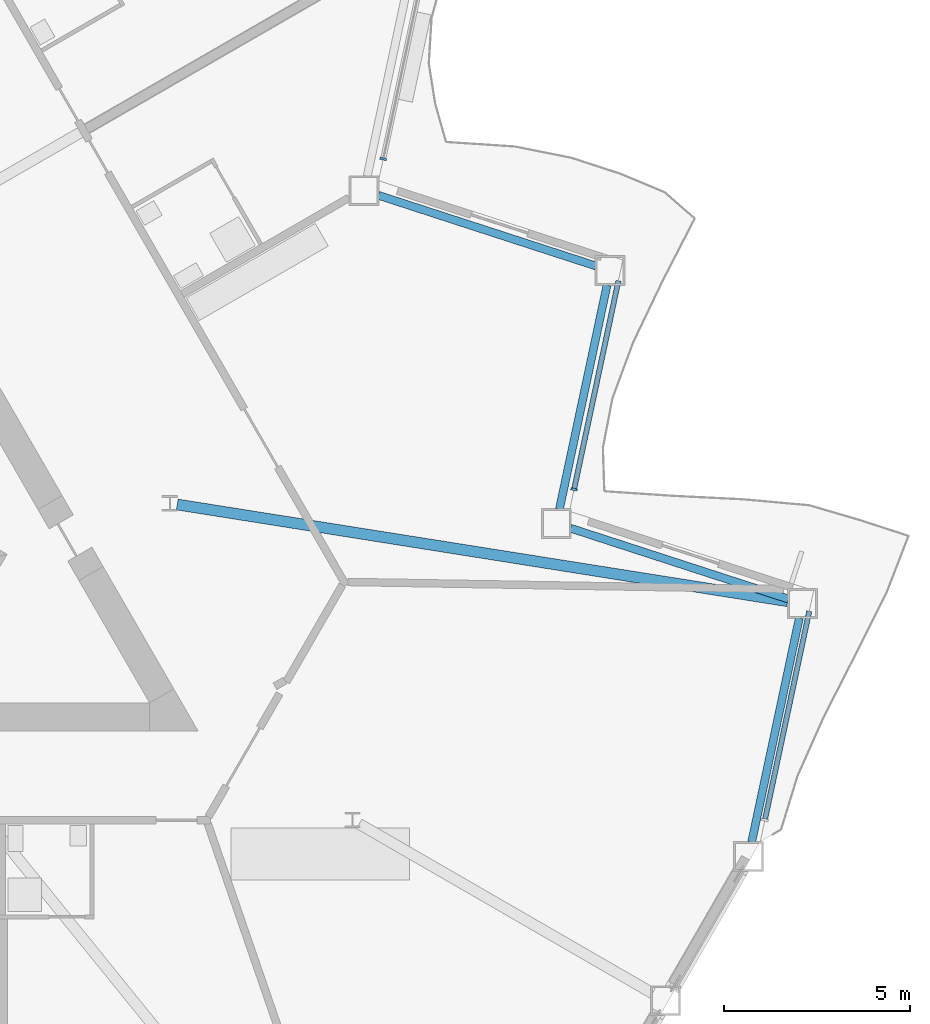
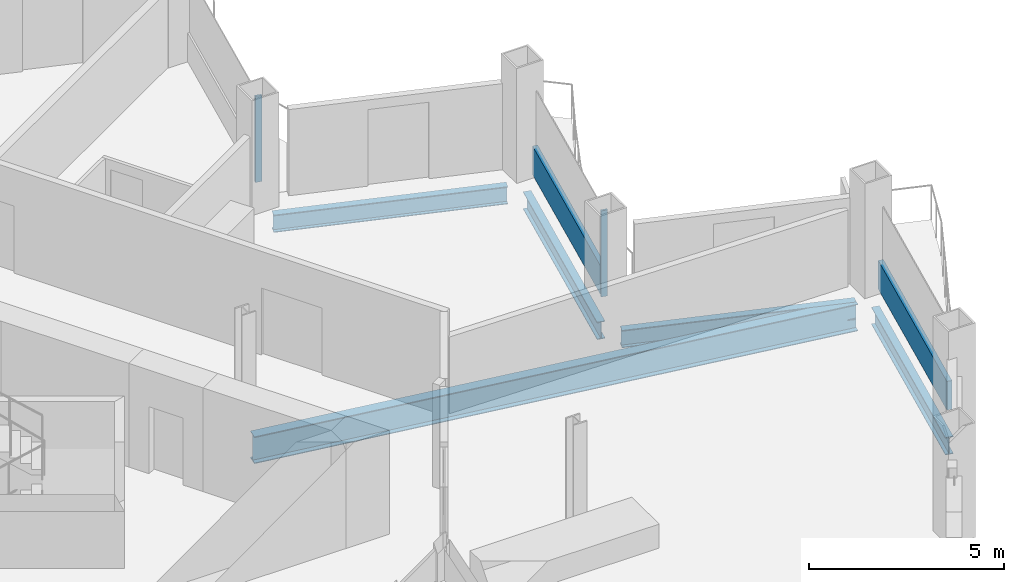
# One storey, part 6 of 23: 5 beams, 4 members, 3 elements without a shape of their own.
"""IFC4 building model written with IfcOpenShell, lengths in metres."""

from ifc_helpers import new_model, si_unit, direction, frame, origin, origin_2d, place, context, subcontext, project, spatial, rectangle, i_section, extrude, material, layer, layer_set, material_profile, profile_set, type_object, element, aggregate, save


model = new_model("IFC4")

# Units and contexts
model_context = context("Model", 3, precision=1e-05, world=origin(), true_north=direction((0.0, 1.0)))
body_context = subcontext(model_context, "Body", "Model", "MODEL_VIEW")
ifc_project = project(units=[si_unit("LENGTHUNIT", "METRE"), si_unit("AREAUNIT", "SQUARE_METRE"), si_unit("VOLUMEUNIT", "CUBIC_METRE"), si_unit("PLANEANGLEUNIT", "RADIAN"), si_unit("MASSUNIT", "GRAM", prefix="KILO")], contexts=[model_context])

# Site, building, storey
site_placement = place(None, origin())
site = spatial("IfcSite", under=ifc_project, at=site_placement, CompositionType="ELEMENT")
building_placement = place(site_placement, origin())
building = spatial("IfcBuilding", under=site, at=building_placement, Name="Cormorant Prow Tower", CompositionType="ELEMENT")
storey_placement = place(building_placement, frame((0.0, 0.0, 187.199951171875)))
storey = spatial("IfcBuildingStorey", under=building, at=storey_placement, Name="L40", CompositionType="ELEMENT", Elevation=187.199951171875)

# Curtain wall, member
ifc_material_1 = material(Name="Aluminium 6063-T6", Category="aluminium")
ifc_layer = layer(ifc_material_1, 0.179931640625)
ifc_layer_set = layer_set([ifc_layer], Name="Aluminium 6063-T6")
curtain_wall_type = type_object("IfcCurtainWallType", Name="Hotel unitised curtain wall 180", PredefinedType="NOTDEFINED", material=ifc_layer_set)
curtain_wall_1_placement = place(storey_placement, origin())
curtain_wall_1 = element("IfcCurtainWall", 1, at=curtain_wall_1_placement, inside=storey, type_object=curtain_wall_type, Name="Hotel curtain wall ENE02", PredefinedType="NOTDEFINED")
ifc_material_2 = material(Name="Aluminium 6063-T6", Category="aluminium")
ifc_material_profile_1 = material_profile(ifc_material_2, rectangle(XDim=0.179931640625, YDim=0.06005859375, at=origin_2d()), Name="Hotel mullion 60x180")
ifc_profile_set_1 = profile_set([ifc_material_profile_1], Name="Aluminium 6063-T6")
member_type_1 = type_object("IfcMemberType", Name="Hotel mullion 60x180", PredefinedType="MULLION", material=ifc_profile_set_1)
member_1_placement = place(storey_placement, frame((25.6044921875, -2.46484375, 0.0), z_axis=(0.0, 0.0, 1.0), x_axis=(-0.978147621102, 0.207911594993, 0.0)))
member_1 = element("IfcMember", 2, at=member_1_placement, type_object=member_type_1, Name="Hotel mullion ENE02", PredefinedType="MULLION", context=body_context, shape_type="SweptSolid", body=[
    extrude(rectangle(XDim=0.179931640625, YDim=0.06005859375, at=origin_2d()), origin(), (0.0, 0.0, 1.0), 2.700927734375),
])

curtain_wall_2_placement = place(storey_placement, origin())
curtain_wall_2 = element("IfcCurtainWall", 3, at=curtain_wall_2_placement, inside=storey, type_object=curtain_wall_type, Name="Hotel curtain wall ENE04", PredefinedType="NOTDEFINED")
member_2_placement = place(storey_placement, frame((20.4775390625, 6.41552734375, 0.0), z_axis=(0.0, 0.0, 1.0), x_axis=(-0.978147585359, 0.207911763151, 0.0)))
member_2 = element("IfcMember", 4, at=member_2_placement, type_object=member_type_1, Name="Hotel mullion ENE04", PredefinedType="MULLION", context=body_context, shape_type="SweptSolid", body=[
    extrude(rectangle(XDim=0.179931640625, YDim=0.06005859375, at=origin_2d()), origin(), (0.0, 0.0, 1.0), 2.700927734375),
])
aggregate(curtain_wall_2, [member_2])

curtain_wall_3_placement = place(storey_placement, origin())
curtain_wall_3 = element("IfcCurtainWall", 5, at=curtain_wall_3_placement, inside=storey, type_object=curtain_wall_type, Name="Hotel curtain wall ENE00", PredefinedType="NOTDEFINED")
ifc_material_3 = material(Name="Terracotta", Category="masonry")
ifc_material_profile_2 = material_profile(ifc_material_3, rectangle(XDim=0.139892578125, YDim=0.89990234375, at=origin_2d()), Name="Hotel terracotta spandrel rail 140x900")
ifc_profile_set_2 = profile_set([ifc_material_profile_2], Name="Terracotta")
member_type_2 = type_object("IfcMemberType", Name="Hotel terracotta spandrel rail 140x900", PredefinedType="USERDEFINED", material=ifc_profile_set_2)
member_3_placement = place(storey_placement, frame((30.738037109375, -11.31591796875, 0.449951171875), z_axis=(0.207915072454, 0.978146881939, 0.0), x_axis=(-0.978146881939, 0.207915072454, 0.0)))
member_3 = element("IfcMember", 6, at=member_3_placement, type_object=member_type_2, Name="Hotel spandrel rail ENE00", ObjectType="TRANSOM", PredefinedType="USERDEFINED", context=body_context, shape_type="SweptSolid", body=[
    extrude(rectangle(XDim=0.139892578125, YDim=0.89990234375, at=origin_2d()), origin(), (0.0, 0.0, 1.0), 5.703125),
])
aggregate(curtain_wall_3, [member_3])

# Member
member_4_placement = place(storey_placement, frame((25.61083984375, -2.435546875, 0.449951171875), z_axis=(0.207915072454, 0.978146881939, 0.0), x_axis=(-0.978146881939, 0.207915072454, 0.0)))
member_4 = element("IfcMember", 7, at=member_4_placement, type_object=member_type_2, Name="Hotel spandrel rail ENE02", ObjectType="TRANSOM", PredefinedType="USERDEFINED", context=body_context, shape_type="SweptSolid", body=[
    extrude(rectangle(XDim=0.139892578125, YDim=0.89990234375, at=origin_2d()), origin(), (0.0, 0.0, 1.0), 5.703125),
])

aggregate(curtain_wall_1, [member_1, member_4])

# Beams
ifc_material_4 = material(Name="Structural steel ASTM A992 Gr 50", Category="steel")
ifc_material_profile_3 = material_profile(ifc_material_4, i_section(OverallWidth=0.29296875, OverallDepth=0.845703125, WebThickness=0.015380859375, FlangeThickness=0.0244140625, at=origin_2d()), Name="W33x141")
ifc_profile_set_3 = profile_set([ifc_material_profile_3], Name="Structural steel ASTM A992 Gr 50")
beam_type_1 = type_object("IfcBeamType", Name="Radial floor beam W33x141", PredefinedType="BEAM", material=ifc_profile_set_3)
beam_1_placement = place(storey_placement, frame((14.94384765625, -2.869140625, -0.77294921875), z_axis=(0.987678058302, -0.156499371084, 0.0), x_axis=(0.156499371084, 0.987678058302, 0.0)))
element("IfcBeam", 8, at=beam_1_placement, inside=storey, type_object=beam_type_1, Name="Radial floor beam FB2 10 L40", PredefinedType="BEAM", context=body_context, shape_type="SweptSolid", body=[
    extrude(i_section(OverallWidth=0.29296875, OverallDepth=0.845703125, WebThickness=0.015380859375, FlangeThickness=0.0244140625, at=origin_2d()), origin(), (0.0, 0.0, 1.0), 16.604736328125),
])
ifc_material_5 = material(Name="Structural steel ASTM A992 Gr 50", Category="steel")
ifc_material_profile_4 = material_profile(ifc_material_5, i_section(OverallWidth=0.2138671875, OverallDepth=0.549072265625, WebThickness=0.0146484375, FlangeThickness=0.023681640625, at=origin_2d()), Name="W21x93")
ifc_profile_set_4 = profile_set([ifc_material_profile_4], Name="Structural steel ASTM A992 Gr 50")
beam_type_2 = type_object("IfcBeamType", Name="Spandrel beam W21x93", PredefinedType="SPANDREL", material=ifc_profile_set_4)
beam_2_placement = place(storey_placement, frame((30.377197265625, -11.93701171875, -0.62451171875), z_axis=(0.207904811195, 0.978149063018, 0.0), x_axis=(-0.978149063018, 0.207904811195, 0.0)))
element("IfcBeam", 9, at=beam_2_placement, inside=storey, type_object=beam_type_2, Name="Spandrel beam SB2 ENE00-ENE01 L40", PredefinedType="SPANDREL", context=body_context, shape_type="SweptSolid", body=[
    extrude(i_section(OverallWidth=0.2138671875, OverallDepth=0.549072265625, WebThickness=0.0146484375, FlangeThickness=0.023681640625, at=origin_2d()), origin(), (0.0, 0.0, 1.0), 6.149658203125),
])
beam_3_placement = place(storey_placement, frame((31.358642578125, -5.40673828125, -0.62451171875), z_axis=(-0.951057696564, 0.309013361859, 0.0), x_axis=(-0.309013361859, -0.951057696564, 0.0)))
element("IfcBeam", 10, at=beam_3_placement, inside=storey, type_object=beam_type_2, Name="Spandrel beam SB2 ENE01-ENE02 L40", PredefinedType="SPANDREL", context=body_context, shape_type="SweptSolid", body=[
    extrude(i_section(OverallWidth=0.2138671875, OverallDepth=0.549072265625, WebThickness=0.0146484375, FlangeThickness=0.023681640625, at=origin_2d()), origin(), (0.0, 0.0, 1.0), 6.14990234375),
])
beam_4_placement = place(storey_placement, frame((25.21240234375, -2.991455078125, -0.62451171875), z_axis=(0.207904811195, 0.978149063018, 0.0), x_axis=(-0.978149063018, 0.207904811195, 0.0)))
element("IfcBeam", 11, at=beam_4_placement, inside=storey, type_object=beam_type_2, Name="Spandrel beam SB2 ENE02-ENE03 L40", PredefinedType="SPANDREL", context=body_context, shape_type="SweptSolid", body=[
    extrude(i_section(OverallWidth=0.2138671875, OverallDepth=0.549072265625, WebThickness=0.0146484375, FlangeThickness=0.023681640625, at=origin_2d()), origin(), (0.0, 0.0, 1.0), 6.149658203125),
])
beam_5_placement = place(storey_placement, frame((26.19384765625, 3.538818359375, -0.62451171875), z_axis=(-0.951057696564, 0.309013361859, 0.0), x_axis=(-0.309013361859, -0.951057696564, 0.0)))
element("IfcBeam", 12, at=beam_5_placement, inside=storey, type_object=beam_type_2, Name="Spandrel beam SB2 ENE03-ENE04 L40", PredefinedType="SPANDREL", context=body_context, shape_type="SweptSolid", body=[
    extrude(i_section(OverallWidth=0.2138671875, OverallDepth=0.549072265625, WebThickness=0.0146484375, FlangeThickness=0.023681640625, at=origin_2d()), origin(), (0.0, 0.0, 1.0), 6.14990234375),
])

save(model, "model.ifc")
